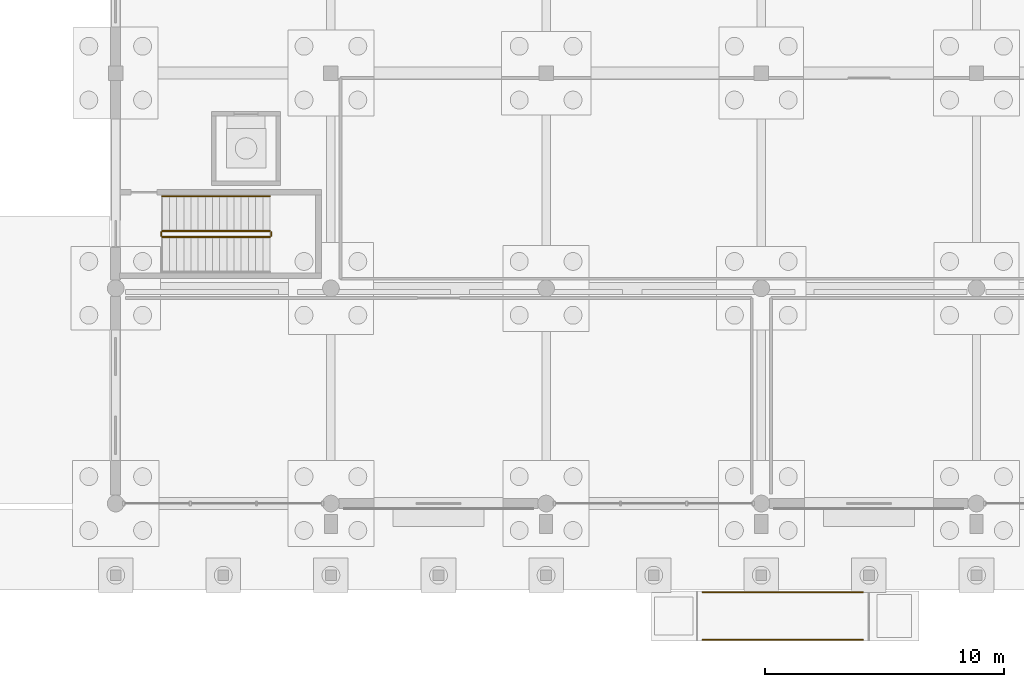
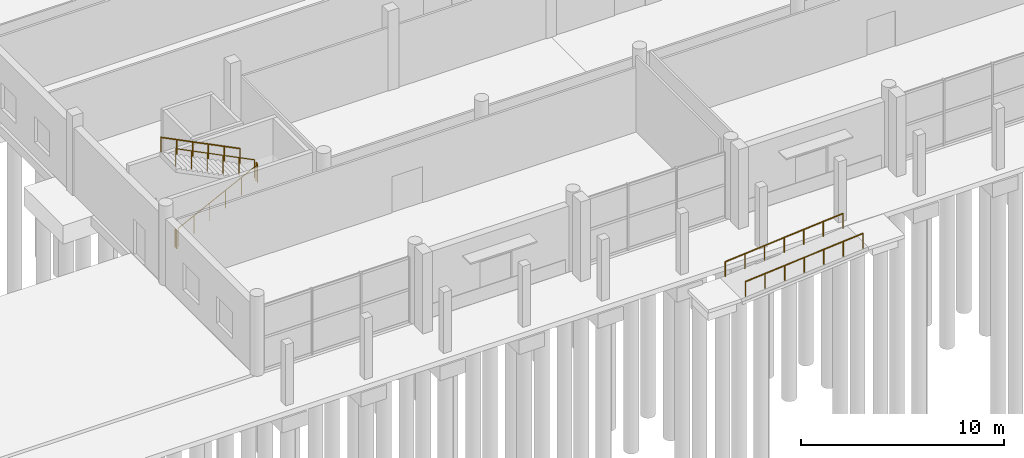
# One storey, part 104 of 112: 7 railings.
"""IFC4 building model written with IfcOpenShell, lengths in metres."""

import ifcopenshell
import ifcopenshell.guid

model = None  # the IFC model being written
_history = None  # IfcOwnerHistory: only IFC2X3 demands one
_inside = {}  # id of a spatial element -> (the spatial element, [elements in it])
_under = {}  # id of a project, library or spatial element -> (it, [spatial elements below it])
_declared = {}  # id of a project -> (the project, [libraries it declares])
_typed = {}  # id of a type object -> (the type object, [elements of that type])
_made_of = {}  # id of a material, layer set ... -> (it, [elements and type objects made of it])


def new_model(schema):
    """Start an empty IFC model of exactly this schema.

    Asked for "IFC4X3", IfcOpenShell would pick the latest addendum, in which some entities
    have other attributes; the version numbers below select the first issue.
    IFC2X3 requires an IfcOwnerHistory on every rooted entity: one is made here for all.
    """
    global model, _history
    if schema == "IFC4X3":
        model = ifcopenshell.file(schema_version=(4, 3, 0, 0))
    else:
        model = ifcopenshell.file(schema=schema)
    _inside.clear()
    _under.clear()
    _declared.clear()
    _typed.clear()
    _made_of.clear()
    _history = None
    if model.schema == "IFC2X3":
        org = make("IfcOrganization", Name="unknown")
        user = make(
            "IfcPersonAndOrganization",
            ThePerson=make("IfcPerson", FamilyName="unknown"),
            TheOrganization=org,
        )
        app = make(
            "IfcApplication",
            ApplicationDeveloper=org,
            Version="unknown",
            ApplicationFullName="unknown",
            ApplicationIdentifier="unknown",
        )
        _history = make(
            "IfcOwnerHistory",
            OwningUser=user,
            OwningApplication=app,
            ChangeAction="ADDED",
            CreationDate=0,
        )
    return model


def make(cls, **values):
    """One entity of the class cls with the attributes given. An attribute that is None is left unset."""
    return model.create_entity(
        cls, **{name: value for name, value in values.items() if value is not None}
    )


def rooted(cls, **values):
    """An entity with a GlobalId (a new one), such as an element, a storey or a relation."""
    return make(cls, GlobalId=ifcopenshell.guid.new(), OwnerHistory=_history, **values)


def si_unit(unit_type, name, prefix=None):
    """IfcSIUnit, for example si_unit("LENGTHUNIT", "METRE", prefix="MILLI")."""
    return make("IfcSIUnit", UnitType=unit_type, Prefix=prefix, Name=name)


def assignment(units):
    """IfcUnitAssignment: the units of a project."""
    return None if units is None else make("IfcUnitAssignment", Units=units)


def point(xyz):
    """IfcCartesianPoint."""
    return None if xyz is None else make("IfcCartesianPoint", Coordinates=xyz)


def direction(xyz):
    """IfcDirection."""
    return None if xyz is None else make("IfcDirection", DirectionRatios=xyz)


def frame(location, z_axis=None, x_axis=None):
    """IfcAxis2Placement3D, a coordinate frame: its origin and axes. An axis left out is left unset."""
    return make(
        "IfcAxis2Placement3D",
        Location=point(location),
        Axis=direction(z_axis),
        RefDirection=direction(x_axis),
    )


def frame_2d(location, x_axis=None):
    """IfcAxis2Placement2D, a coordinate frame in the plane: its origin and x axis."""
    return make(
        "IfcAxis2Placement2D", Location=point(location), RefDirection=direction(x_axis)
    )


def origin():
    """The frame at (0, 0, 0) with its axes left unset."""
    return frame((0.0, 0.0, 0.0))


def origin_2d():
    """The frame at (0, 0) in the plane with its x axis left unset."""
    return frame_2d((0.0, 0.0))


def place(relative_to, where):
    """IfcLocalPlacement: puts the frame where relative to a parent placement (None: the world)."""
    return make(
        "IfcLocalPlacement", PlacementRelTo=relative_to, RelativePlacement=where
    )


def context(
    kind, dimensions, precision=None, world=None, true_north=None, identifier=None
):
    """IfcGeometricRepresentationContext, for example the 3D "Model" context."""
    return make(
        "IfcGeometricRepresentationContext",
        ContextIdentifier=identifier,
        ContextType=kind,
        CoordinateSpaceDimension=dimensions,
        Precision=precision,
        WorldCoordinateSystem=world,
        TrueNorth=true_north,
    )


def subcontext(parent, identifier, kind, view, scale=None):
    """IfcGeometricRepresentationSubContext, for example "Body" below "Model"."""
    return make(
        "IfcGeometricRepresentationSubContext",
        ContextIdentifier=identifier,
        ContextType=kind,
        ParentContext=parent,
        TargetScale=scale,
        TargetView=view,
    )


def project(units=None, contexts=None):
    """IfcProject with its units and contexts."""
    return rooted(
        "IfcProject",
        Name="project",
        RepresentationContexts=contexts,
        UnitsInContext=assignment(units),
    )


def spatial(cls, under=None, at=None, **own):
    """A site, building, storey or space (cls), placed at a placement, below another one or the project."""
    s = rooted(cls, ObjectPlacement=at, **own)
    if under is not None:
        _under.setdefault(under.id(), (under, []))[1].append(s)
    return s


def profile(cls, at=None, kind="AREA", **sizes):
    """A parametric profile (cls). Its sizes go by their IFC names, for example OverallWidth=200.0."""
    return make(cls, ProfileType=kind, Position=at, **sizes)


def circle(**sizes):
    """IfcCircleProfileDef."""
    return profile("IfcCircleProfileDef", **sizes)


def extrude(swept, where, along, depth):
    """IfcExtrudedAreaSolid: the profile swept, set in the frame where, extruded along a direction by depth."""
    return make(
        "IfcExtrudedAreaSolid",
        SweptArea=swept,
        Position=where,
        ExtrudedDirection=direction(along),
        Depth=depth,
    )


def shape(context_of_items, identifier, shape_type, items):
    """IfcShapeRepresentation: the items that make up one representation, for example the "Body"."""
    return make(
        "IfcShapeRepresentation",
        ContextOfItems=context_of_items,
        RepresentationIdentifier=identifier,
        RepresentationType=shape_type,
        Items=items,
    )


def material(Name=None, Category=None):
    """IfcMaterial."""
    return make("IfcMaterial", Name=Name, Category=Category)


def made_of(thing, what):
    """Note that an element or type object is made of a material, layer set ...; save() writes the relation."""
    if what is not None:
        _made_of.setdefault(what.id(), (what, []))[1].append(thing)
    return thing


def type_object(cls, material=None, **own):
    """A type object (cls), such as IfcWallType, which elements share."""
    return made_of(rooted(cls, **own), material)


def element(
    cls,
    number,
    at=None,
    inside=None,
    cuts=None,
    type_object=None,
    material=None,
    context=None,
    identifier="Body",
    shape_type=None,
    held_by="IfcProductDefinitionShape",
    body=None,
    shapes=None,
    **own,
):
    """One element of the class cls, such as IfcWall. Its Tag is "e" and its number.

    at: its placement. inside: the storey or other place that contains it. cuts: it is an
    opening in that element (IfcRelVoidsElement). A single representation is given by context,
    identifier, shape_type and body (its items); several are given by shapes. held_by: the class
    of the entity that holds the representations. save() writes the other relations.
    """
    e = rooted(cls, Tag="e%d" % number, ObjectPlacement=at, **own)
    if body is not None:
        shapes = [shape(context, identifier, shape_type, body)]
    if shapes is not None:
        e.Representation = make(held_by, Representations=shapes)
    if inside is not None:
        _inside.setdefault(inside.id(), (inside, []))[1].append(e)
    if cuts is not None:
        rooted(
            "IfcRelVoidsElement", RelatingBuildingElement=cuts, RelatedOpeningElement=e
        )
    if type_object is not None:
        _typed.setdefault(type_object.id(), (type_object, []))[1].append(e)
    return made_of(e, material)


def aggregate(whole, parts):
    """IfcRelAggregates: a whole, such as a stair, and the parts it consists of."""
    return rooted("IfcRelAggregates", RelatingObject=whole, RelatedObjects=parts)


def save(model, path):
    """Write the relations noted so far, then the file.

    IfcRelAggregates (storeys below a building ...), IfcRelContainedInSpatialStructure (elements
    in a storey), IfcRelDefinesByType, IfcRelAssociatesMaterial and IfcRelDeclares: one each for
    every whole, place, type object, material and project.
    """
    for whole, parts in _under.values():
        aggregate(whole, parts)
    for where, things in _inside.values():
        rooted(
            "IfcRelContainedInSpatialStructure",
            RelatedElements=things,
            RelatingStructure=where,
        )
    for kind, things in _typed.values():
        rooted("IfcRelDefinesByType", RelatedObjects=things, RelatingType=kind)
    for what, things in _made_of.values():
        rooted("IfcRelAssociatesMaterial", RelatedObjects=things, RelatingMaterial=what)
    for by, libraries in _declared.values():
        rooted("IfcRelDeclares", RelatingContext=by, RelatedDefinitions=libraries)
    model.write(path)


model = new_model("IFC4")

# Units and contexts
model_context = context("Model", 3, precision=1e-05, world=origin(), true_north=direction((0.0, 1.0)))
body_context = subcontext(model_context, "Body", "Model", "MODEL_VIEW")
ifc_project = project(units=[si_unit("LENGTHUNIT", "METRE"), si_unit("AREAUNIT", "SQUARE_METRE"), si_unit("VOLUMEUNIT", "CUBIC_METRE"), si_unit("PLANEANGLEUNIT", "RADIAN"), si_unit("MASSUNIT", "GRAM", prefix="KILO")], contexts=[model_context])

# Site, building, storey
site_placement = place(None, origin())
site = spatial("IfcSite", under=ifc_project, at=site_placement, CompositionType="ELEMENT")
building_placement = place(site_placement, origin())
building = spatial("IfcBuilding", under=site, at=building_placement, Name="Tharagai Park Tramway Depot", CompositionType="ELEMENT")
storey_placement = place(building_placement, origin())
storey = spatial("IfcBuildingStorey", under=building, at=storey_placement, Name="L00", CompositionType="ELEMENT", Elevation=0.0)

# Railings
ifc_material = material(Name="Galvanised steel", Category="steel")
railing_type_1 = type_object("IfcRailingType", Name="GR-02", PredefinedType="HANDRAIL", material=ifc_material)
for number, where, name in (
    (1, (159.550048828125, -3.7099609375, -0.5791015625), "Ramp RMP-03 Handrail L"),
    (2, (159.550048828125, -5.68994140625, -0.5791015625), "Ramp RMP-03 Handrail R"),
):
    element("IfcRailing", number, at=place(storey_placement, frame(where)), inside=storey, type_object=railing_type_1, Name=name, PredefinedType="HANDRAIL", context=body_context, shape_type="SweptSolid", body=[
        extrude(circle(Radius=0.02392578125, at=origin_2d()), frame((0.0, 0.0, 0.89599609375), z_axis=(0.996545507804, 0.0, 0.083048485091), x_axis=(0.0, 1.0, 0.0)), (0.0, 0.0, 1.0), 6.72314453125),
        extrude(circle(Radius=0.02099609375, at=origin_2d()), origin(), (0.0, 0.0, 1.0), 0.871826171875),
        extrude(circle(Radius=0.02099609375, at=origin_2d()), frame((1.11669921875, 0.0, 0.093017578125)), (0.0, 0.0, 1.0), 0.871826171875),
        extrude(circle(Radius=0.02099609375, at=origin_2d()), frame((2.2333984375, 0.0, 0.18603515625)), (0.0, 0.0, 1.0), 0.871826171875),
        extrude(circle(Radius=0.02099609375, at=origin_2d()), frame((3.35009765625, 0.0, 0.279296875)), (0.0, 0.0, 1.0), 0.871826171875),
        extrude(circle(Radius=0.02099609375, at=origin_2d()), frame((4.466552734375, 0.0, 0.372314453125)), (0.0, 0.0, 1.0), 0.871826171875),
        extrude(circle(Radius=0.02099609375, at=origin_2d()), frame((5.583251953125, 0.0, 0.46533203125)), (0.0, 0.0, 1.0), 0.871826171875),
        extrude(circle(Radius=0.02099609375, at=origin_2d()), frame((6.699951171875, 0.0, 0.558349609375)), (0.0, 0.0, 1.0), 0.871826171875),
    ])
railing_type_2 = type_object("IfcRailingType", Name="HR-02", PredefinedType="GUARDRAIL", material=ifc_material)
railing_1_placement = place(storey_placement, frame((136.949951171875, 11.14990234375, 0.14990234375)))
element("IfcRailing", 3, at=railing_1_placement, inside=storey, type_object=railing_type_2, Name="L00 ST-06 stair guard 1", PredefinedType="GUARDRAIL", context=body_context, shape_type="SweptSolid", body=[
    extrude(circle(Radius=0.02392578125, at=origin_2d()), frame((0.0, 0.0, 1.076171875), z_axis=(0.894427191, 0.0, 0.4472135955), x_axis=(0.0, 1.0, 0.0)), (0.0, 0.0, 1.0), 5.03125),
    extrude(circle(Radius=0.02099609375, at=origin_2d()), origin(), (0.0, 0.0, 1.0), 1.052001953125),
    extrude(circle(Radius=0.02099609375, at=origin_2d()), frame((0.89990234375, 0.0, 0.449951171875)), (0.0, 0.0, 1.0), 1.052001953125),
    extrude(circle(Radius=0.02099609375, at=origin_2d()), frame((1.800048828125, 0.0, 0.89990234375)), (0.0, 0.0, 1.0), 1.052001953125),
    extrude(circle(Radius=0.02099609375, at=origin_2d()), frame((2.699951171875, 0.0, 1.35009765625)), (0.0, 0.0, 1.0), 1.052001953125),
    extrude(circle(Radius=0.02099609375, at=origin_2d()), frame((3.60009765625, 0.0, 1.800048828125)), (0.0, 0.0, 1.0), 1.052001953125),
    extrude(circle(Radius=0.02099609375, at=origin_2d()), frame((4.5, 0.0, 2.25)), (0.0, 0.0, 1.0), 1.052001953125),
])
railing_2_placement = place(storey_placement, frame((141.5, 11.199951171875, 2.39990234375)))
element("IfcRailing", 4, at=railing_2_placement, inside=storey, type_object=railing_type_2, Name="L00 ST-06 stair guard 2", PredefinedType="GUARDRAIL", context=body_context, shape_type="SweptSolid", body=[
    extrude(circle(Radius=0.02392578125, at=origin_2d()), frame((0.0, 0.0, 1.076171875), z_axis=(0.0, 1.0, 0.0), x_axis=(-1.0, 0.0, 0.0)), (0.0, 0.0, 1.0), 0.150146484375),
    extrude(circle(Radius=0.02099609375, at=origin_2d()), origin(), (0.0, 0.0, 1.0), 1.052001953125),
    extrude(circle(Radius=0.02099609375, at=origin_2d()), frame((0.0, 0.150146484375, 0.0)), (0.0, 0.0, 1.0), 1.052001953125),
])
railing_3_placement = place(storey_placement, frame((141.449951171875, 11.39990234375, 2.550048828125)))
element("IfcRailing", 5, at=railing_3_placement, inside=storey, type_object=railing_type_2, Name="L00 ST-06 stair guard 3", PredefinedType="GUARDRAIL", context=body_context, shape_type="SweptSolid", body=[
    extrude(circle(Radius=0.02392578125, at=origin_2d()), frame((0.0, 0.0, 1.076171875), z_axis=(-0.894427191, 0.0, 0.4472135955), x_axis=(0.0, -1.0, 0.0)), (0.0, 0.0, 1.0), 5.03125),
    extrude(circle(Radius=0.02099609375, at=origin_2d()), origin(), (0.0, 0.0, 1.0), 1.052001953125),
    extrude(circle(Radius=0.02099609375, at=origin_2d()), frame((-0.89990234375, 0.0, 0.449951171875)), (0.0, 0.0, 1.0), 1.052001953125),
    extrude(circle(Radius=0.02099609375, at=origin_2d()), frame((-1.800048828125, 0.0, 0.89990234375)), (0.0, 0.0, 1.0), 1.052001953125),
    extrude(circle(Radius=0.02099609375, at=origin_2d()), frame((-2.699951171875, 0.0, 1.35009765625)), (0.0, 0.0, 1.0), 1.052001953125),
    extrude(circle(Radius=0.02099609375, at=origin_2d()), frame((-3.60009765625, 0.0, 1.800048828125)), (0.0, 0.0, 1.0), 1.052001953125),
    extrude(circle(Radius=0.02099609375, at=origin_2d()), frame((-4.5, 0.0, 2.25)), (0.0, 0.0, 1.0), 1.052001953125),
])
railing_4_placement = place(storey_placement, frame((136.89990234375, 11.199951171875, 0.0)))
element("IfcRailing", 6, at=railing_4_placement, inside=storey, type_object=railing_type_2, Name="L00 ST-06 stair guard 4", PredefinedType="GUARDRAIL", context=body_context, shape_type="SweptSolid", body=[
    extrude(circle(Radius=0.02392578125, at=origin_2d()), frame((0.0, 0.0, 1.076171875), z_axis=(0.0, 1.0, 0.0), x_axis=(-1.0, 0.0, 0.0)), (0.0, 0.0, 1.0), 0.150146484375),
    extrude(circle(Radius=0.02099609375, at=origin_2d()), origin(), (0.0, 0.0, 1.0), 1.052001953125),
    extrude(circle(Radius=0.02099609375, at=origin_2d()), frame((0.0, 0.150146484375, 0.0)), (0.0, 0.0, 1.0), 1.052001953125),
])
railing_type_3 = type_object("IfcRailingType", Name="HR-03", PredefinedType="HANDRAIL", material=ifc_material)
railing_5_placement = place(storey_placement, frame((141.449951171875, 12.85009765625, 2.550048828125)))
element("IfcRailing", 7, at=railing_5_placement, inside=storey, type_object=railing_type_3, Name="L00 ST-06 stair handrail 2", PredefinedType="HANDRAIL", context=body_context, shape_type="SweptSolid", body=[
    extrude(circle(Radius=0.02392578125, at=origin_2d()), frame((0.0, 0.0, 0.8759765625), z_axis=(-0.894427191, 0.0, 0.4472135955), x_axis=(0.0, -1.0, 0.0)), (0.0, 0.0, 1.0), 5.03125),
    extrude(circle(Radius=0.02099609375, at=origin_2d()), origin(), (0.0, 0.0, 1.0), 0.851806640625),
    extrude(circle(Radius=0.02099609375, at=origin_2d()), frame((-0.89990234375, 0.0, 0.449951171875)), (0.0, 0.0, 1.0), 0.851806640625),
    extrude(circle(Radius=0.02099609375, at=origin_2d()), frame((-1.800048828125, 0.0, 0.89990234375)), (0.0, 0.0, 1.0), 0.851806640625),
    extrude(circle(Radius=0.02099609375, at=origin_2d()), frame((-2.699951171875, 0.0, 1.35009765625)), (0.0, 0.0, 1.0), 0.851806640625),
    extrude(circle(Radius=0.02099609375, at=origin_2d()), frame((-3.60009765625, 0.0, 1.800048828125)), (0.0, 0.0, 1.0), 0.851806640625),
    extrude(circle(Radius=0.02099609375, at=origin_2d()), frame((-4.5, 0.0, 2.25)), (0.0, 0.0, 1.0), 0.851806640625),
])

save(model, "model.ifc")
